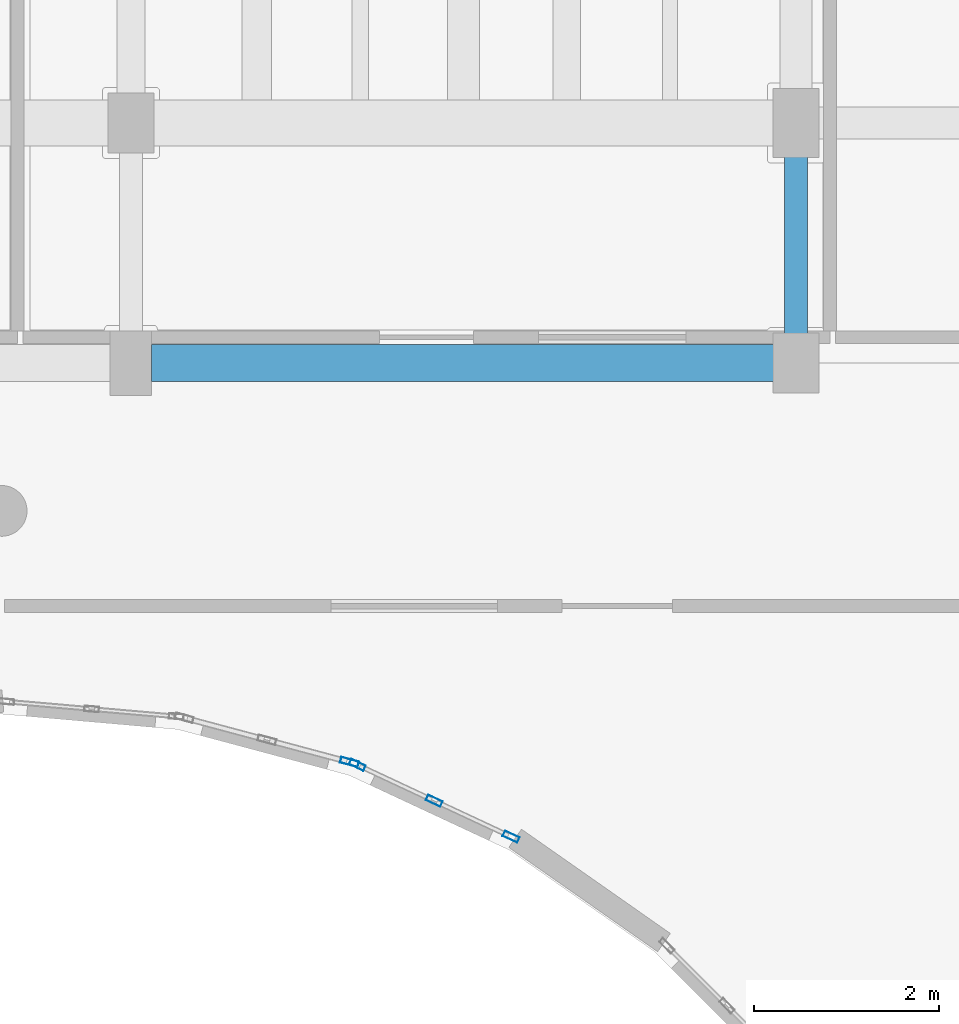
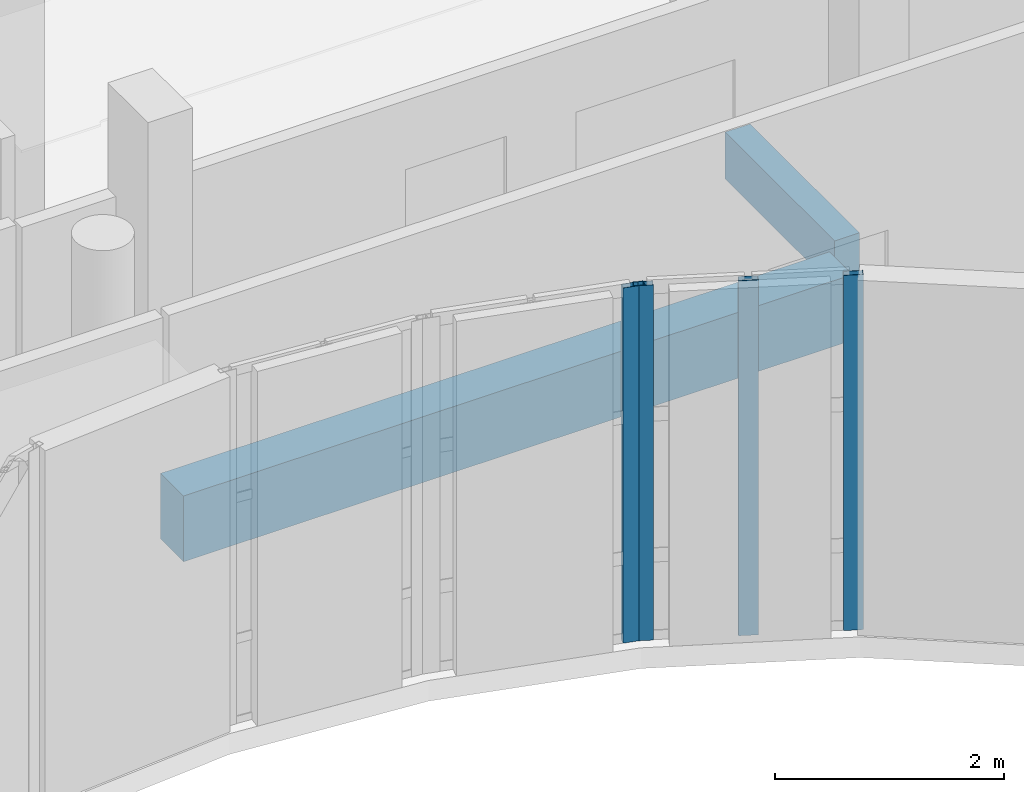
# One storey, part 36 of 92: 4 members, 2 beams, 2 elements without a shape of their own.
"""IFC4 building model written with IfcOpenShell, lengths in metres."""

from ifc_helpers import new_model, si_unit, direction, frame, origin, origin_2d, place, context, subcontext, project, spatial, rectangle, hollow_rectangle, extrude, material, layer, layer_set, material_profile, profile_set, type_object, element, aggregate, save


model = new_model("IFC4")

# Units and contexts
model_context = context("Model", 3, precision=1e-05, world=origin(), true_north=direction((0.0, 1.0)))
body_context = subcontext(model_context, "Body", "Model", "MODEL_VIEW")
ifc_project = project(units=[si_unit("LENGTHUNIT", "METRE"), si_unit("AREAUNIT", "SQUARE_METRE"), si_unit("VOLUMEUNIT", "CUBIC_METRE"), si_unit("PLANEANGLEUNIT", "RADIAN"), si_unit("MASSUNIT", "GRAM", prefix="KILO")], contexts=[model_context])

# Site, building, storey
site_placement = place(None, origin())
site = spatial("IfcSite", under=ifc_project, at=site_placement, CompositionType="ELEMENT")
building_placement = place(site_placement, origin())
building = spatial("IfcBuilding", under=site, at=building_placement, Name="Kelanivale Promenade Academy", CompositionType="ELEMENT")
storey_placement = place(building_placement, frame((0.0, 0.0, 8.199951171875)))
storey = spatial("IfcBuildingStorey", under=building, at=storey_placement, Name="L02", CompositionType="ELEMENT", Elevation=8.199951171875)

# Beam
ifc_material_1 = material(Name="Concrete C35/45", Category="concrete")
ifc_material_profile_1 = material_profile(ifc_material_1, rectangle(XDim=0.39990234375, YDim=0.699951171875, at=origin_2d()), Name="RC-BM 400x700")
ifc_profile_set_1 = profile_set([ifc_material_profile_1], Name="Concrete C35/45")
beam_type_1 = type_object("IfcBeamType", Name="BM-02 RC-BM 400x700", PredefinedType="BEAM", material=ifc_profile_set_1)
beam_1_placement = place(storey_placement, frame((65.02001953125, 71.60009765625, -0.570068359375), z_axis=(1.0, 0.0, 0.0), x_axis=(0.0, 1.0, 0.0)))
element("IfcBeam", 1, at=beam_1_placement, inside=storey, type_object=beam_type_1, Name="L02 girder BM-02", PredefinedType="BEAM", context=body_context, shape_type="SweptSolid", body=[
    extrude(rectangle(XDim=0.39990234375, YDim=0.699951171875, at=origin_2d()), origin(), (0.0, 0.0, 1.0), 6.73486328125),
])

# Curtain wall, members
ifc_material_2 = material(Name="Bronze anodised aluminium and solar-control low-E glass", Category="aluminium")
ifc_layer_1 = layer(ifc_material_2, 0.179931640625)
ifc_layer_set_1 = layer_set([ifc_layer_1], Name="Bronze anodised aluminium and solar-control low-E glass")
curtain_wall_type_1 = type_object("IfcCurtainWallType", Name="CW-11 Curtain Wall 1950mm Module", PredefinedType="USERDEFINED", material=ifc_layer_set_1)
curtain_wall_1_placement = place(storey_placement, origin())
curtain_wall_1 = element("IfcCurtainWall", 2, at=curtain_wall_1_placement, inside=storey, type_object=curtain_wall_type_1, Name="L02 courtyard curtain wall CW-11", ObjectType="UNITISED GLAZING", PredefinedType="USERDEFINED")
ifc_material_3 = material(Name="Bronze anodised aluminium EN AW-6063 T6", Category="aluminium")
ifc_material_profile_2 = material_profile(ifc_material_3, hollow_rectangle(XDim=0.06494140625, YDim=0.175048828125, WallThickness=0.00390625, at=origin_2d()), Name="ALU 65x175x4.0")
ifc_profile_set_2 = profile_set([ifc_material_profile_2], Name="Bronze anodised aluminium EN AW-6063 T6")
member_type_1 = type_object("IfcMemberType", Name="CWM-03 ALU 65x175x4.0", PredefinedType="MULLION", material=ifc_profile_set_2)
member_1_placement = place(storey_placement, frame((68.91552734375, 66.47265625, 0.0), z_axis=(0.0, 0.0, 1.0), x_axis=(-0.423086860887, -0.906089128146, 0.0)))
member_1 = element("IfcMember", 3, at=member_1_placement, type_object=member_type_1, Name="CW-11 mullion 1", PredefinedType="MULLION", context=body_context, shape_type="SweptSolid", body=[
    extrude(hollow_rectangle(XDim=0.06494140625, YDim=0.175048828125, WallThickness=0.00390625, at=origin_2d()), origin(), (0.0, 0.0, 1.0), 3.780029296875),
])
member_2_placement = place(storey_placement, frame((68.0830078125, 66.861572265625, 0.0), z_axis=(0.0, 0.0, 1.0), x_axis=(-0.423086860887, -0.906089128146, 0.0)))
member_2 = element("IfcMember", 4, at=member_2_placement, type_object=member_type_1, Name="CW-11 mullion 2", PredefinedType="MULLION", context=body_context, shape_type="SweptSolid", body=[
    extrude(hollow_rectangle(XDim=0.06494140625, YDim=0.175048828125, WallThickness=0.00390625, at=origin_2d()), origin(), (0.0, 0.0, 1.0), 3.780029296875),
])
member_3_placement = place(storey_placement, frame((67.25048828125, 67.250244140625, 0.0), z_axis=(0.0, 0.0, 1.0), x_axis=(-0.423086860887, -0.906089128146, 0.0)))
member_3 = element("IfcMember", 5, at=member_3_placement, type_object=member_type_1, Name="CW-11 mullion 3", PredefinedType="MULLION", context=body_context, shape_type="SweptSolid", body=[
    extrude(hollow_rectangle(XDim=0.06494140625, YDim=0.175048828125, WallThickness=0.00390625, at=origin_2d()), origin(), (0.0, 0.0, 1.0), 3.780029296875),
])
aggregate(curtain_wall_1, [member_1, member_2, member_3])

# Curtain wall, member
ifc_layer_2 = layer(ifc_material_2, 0.159912109375)
ifc_layer_set_2 = layer_set([ifc_layer_2], Name="Bronze anodised aluminium and solar-control low-E glass")
curtain_wall_type_2 = type_object("IfcCurtainWallType", Name="CW-12 Curtain Wall 1200mm Module", PredefinedType="USERDEFINED", material=ifc_layer_set_2)
curtain_wall_2_placement = place(storey_placement, origin())
curtain_wall_2 = element("IfcCurtainWall", 6, at=curtain_wall_2_placement, inside=storey, type_object=curtain_wall_type_2, Name="L02 courtyard curtain wall CW-12", ObjectType="UNITISED GLAZING", PredefinedType="USERDEFINED")
ifc_material_profile_3 = material_profile(ifc_material_3, hollow_rectangle(XDim=0.06494140625, YDim=0.199951171875, WallThickness=0.00439453125, at=origin_2d()), Name="ALU 65x200x4.5")
ifc_profile_set_3 = profile_set([ifc_material_profile_3], Name="Bronze anodised aluminium EN AW-6063 T6")
member_type_2 = type_object("IfcMemberType", Name="CWM-04 ALU 65x200x4.5", PredefinedType="MULLION", material=ifc_profile_set_3)
member_4_placement = place(storey_placement, frame((67.16650390625, 67.280517578125, 0.0), z_axis=(0.0, 0.0, 1.0), x_axis=(-0.258701323721, -0.96595736195, 0.0)))
member_4 = element("IfcMember", 7, at=member_4_placement, type_object=member_type_2, Name="CW-12 mullion 1", PredefinedType="MULLION", context=body_context, shape_type="SweptSolid", body=[
    extrude(hollow_rectangle(XDim=0.06494140625, YDim=0.199951171875, WallThickness=0.00439453125, at=origin_2d()), origin(), (0.0, 0.0, 1.0), 3.780029296875),
])
aggregate(curtain_wall_2, [member_4])

# Beam
ifc_material_profile_4 = material_profile(ifc_material_1, rectangle(XDim=0.25, YDim=0.5, at=origin_2d()), Name="RC-BM 250x500")
ifc_profile_set_4 = profile_set([ifc_material_profile_4], Name="Concrete C35/45")
beam_type_2 = type_object("IfcBeamType", Name="LN-02 RC-BM 250x500", PredefinedType="LINTEL", material=ifc_profile_set_4)
beam_2_placement = place(storey_placement, frame((72.0, 71.919921875, -0.469970703125), z_axis=(0.0, 1.0, 0.0), x_axis=(-1.0, 0.0, 0.0)))
element("IfcBeam", 8, at=beam_2_placement, inside=storey, type_object=beam_type_2, Name="L02 beam LN-02", PredefinedType="LINTEL", context=body_context, shape_type="SweptSolid", body=[
    extrude(rectangle(XDim=0.25, YDim=0.5, at=origin_2d()), origin(), (0.0, 0.0, 1.0), 1.91015625),
])

save(model, "model.ifc")
